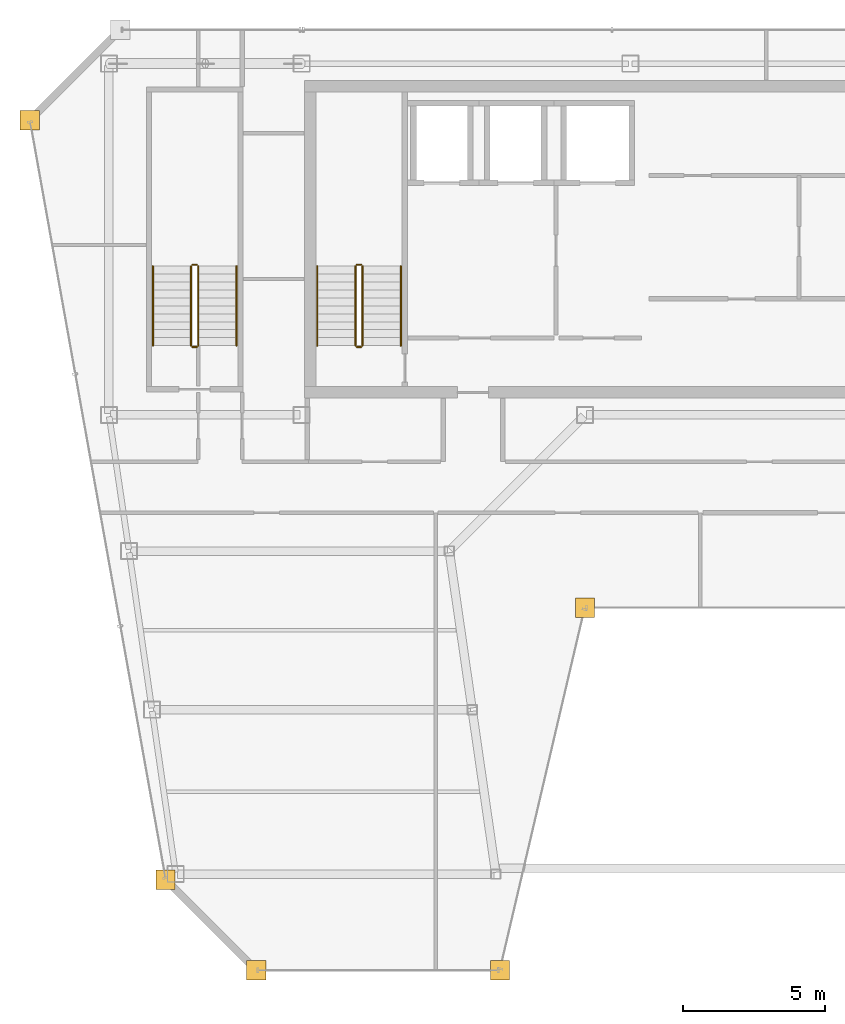
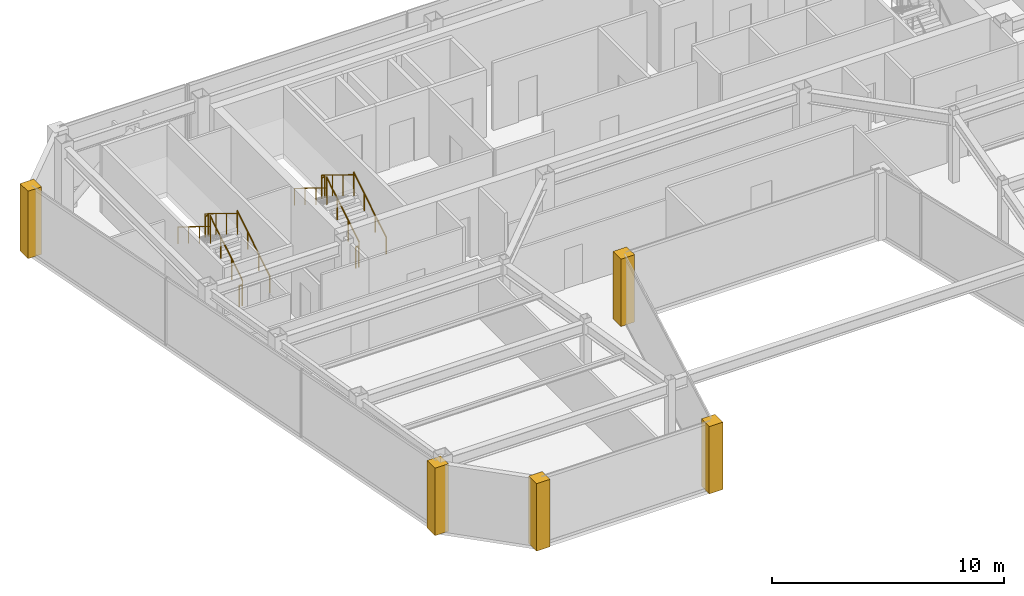
# One storey, part 30 of 32: 12 railings, 5 coverings.
"""IFC4 building model written with IfcOpenShell, lengths in metres."""

import ifcopenshell
import ifcopenshell.guid

model = None  # the IFC model being written
_history = None  # IfcOwnerHistory: only IFC2X3 demands one
_inside = {}  # id of a spatial element -> (the spatial element, [elements in it])
_under = {}  # id of a project, library or spatial element -> (it, [spatial elements below it])
_declared = {}  # id of a project -> (the project, [libraries it declares])
_typed = {}  # id of a type object -> (the type object, [elements of that type])
_made_of = {}  # id of a material, layer set ... -> (it, [elements and type objects made of it])


def new_model(schema):
    """Start an empty IFC model of exactly this schema.

    Asked for "IFC4X3", IfcOpenShell would pick the latest addendum, in which some entities
    have other attributes; the version numbers below select the first issue.
    IFC2X3 requires an IfcOwnerHistory on every rooted entity: one is made here for all.
    """
    global model, _history
    if schema == "IFC4X3":
        model = ifcopenshell.file(schema_version=(4, 3, 0, 0))
    else:
        model = ifcopenshell.file(schema=schema)
    _inside.clear()
    _under.clear()
    _declared.clear()
    _typed.clear()
    _made_of.clear()
    _history = None
    if model.schema == "IFC2X3":
        org = make("IfcOrganization", Name="unknown")
        user = make(
            "IfcPersonAndOrganization",
            ThePerson=make("IfcPerson", FamilyName="unknown"),
            TheOrganization=org,
        )
        app = make(
            "IfcApplication",
            ApplicationDeveloper=org,
            Version="unknown",
            ApplicationFullName="unknown",
            ApplicationIdentifier="unknown",
        )
        _history = make(
            "IfcOwnerHistory",
            OwningUser=user,
            OwningApplication=app,
            ChangeAction="ADDED",
            CreationDate=0,
        )
    return model


def make(cls, **values):
    """One entity of the class cls with the attributes given. An attribute that is None is left unset."""
    return model.create_entity(
        cls, **{name: value for name, value in values.items() if value is not None}
    )


def rooted(cls, **values):
    """An entity with a GlobalId (a new one), such as an element, a storey or a relation."""
    return make(cls, GlobalId=ifcopenshell.guid.new(), OwnerHistory=_history, **values)


def si_unit(unit_type, name, prefix=None):
    """IfcSIUnit, for example si_unit("LENGTHUNIT", "METRE", prefix="MILLI")."""
    return make("IfcSIUnit", UnitType=unit_type, Prefix=prefix, Name=name)


def assignment(units):
    """IfcUnitAssignment: the units of a project."""
    return None if units is None else make("IfcUnitAssignment", Units=units)


def point(xyz):
    """IfcCartesianPoint."""
    return None if xyz is None else make("IfcCartesianPoint", Coordinates=xyz)


def direction(xyz):
    """IfcDirection."""
    return None if xyz is None else make("IfcDirection", DirectionRatios=xyz)


def frame(location, z_axis=None, x_axis=None):
    """IfcAxis2Placement3D, a coordinate frame: its origin and axes. An axis left out is left unset."""
    return make(
        "IfcAxis2Placement3D",
        Location=point(location),
        Axis=direction(z_axis),
        RefDirection=direction(x_axis),
    )


def frame_2d(location, x_axis=None):
    """IfcAxis2Placement2D, a coordinate frame in the plane: its origin and x axis."""
    return make(
        "IfcAxis2Placement2D", Location=point(location), RefDirection=direction(x_axis)
    )


def origin():
    """The frame at (0, 0, 0) with its axes left unset."""
    return frame((0.0, 0.0, 0.0))


def origin_2d():
    """The frame at (0, 0) in the plane with its x axis left unset."""
    return frame_2d((0.0, 0.0))


def place(relative_to, where):
    """IfcLocalPlacement: puts the frame where relative to a parent placement (None: the world)."""
    return make(
        "IfcLocalPlacement", PlacementRelTo=relative_to, RelativePlacement=where
    )


def context(
    kind, dimensions, precision=None, world=None, true_north=None, identifier=None
):
    """IfcGeometricRepresentationContext, for example the 3D "Model" context."""
    return make(
        "IfcGeometricRepresentationContext",
        ContextIdentifier=identifier,
        ContextType=kind,
        CoordinateSpaceDimension=dimensions,
        Precision=precision,
        WorldCoordinateSystem=world,
        TrueNorth=true_north,
    )


def subcontext(parent, identifier, kind, view, scale=None):
    """IfcGeometricRepresentationSubContext, for example "Body" below "Model"."""
    return make(
        "IfcGeometricRepresentationSubContext",
        ContextIdentifier=identifier,
        ContextType=kind,
        ParentContext=parent,
        TargetScale=scale,
        TargetView=view,
    )


def project(units=None, contexts=None):
    """IfcProject with its units and contexts."""
    return rooted(
        "IfcProject",
        Name="project",
        RepresentationContexts=contexts,
        UnitsInContext=assignment(units),
    )


def spatial(cls, under=None, at=None, **own):
    """A site, building, storey or space (cls), placed at a placement, below another one or the project."""
    s = rooted(cls, ObjectPlacement=at, **own)
    if under is not None:
        _under.setdefault(under.id(), (under, []))[1].append(s)
    return s


def polyline(points):
    """IfcPolyline through the points."""
    return make("IfcPolyline", Points=[point(p) for p in points])


def profile(cls, at=None, kind="AREA", **sizes):
    """A parametric profile (cls). Its sizes go by their IFC names, for example OverallWidth=200.0."""
    return make(cls, ProfileType=kind, Position=at, **sizes)


def circle(**sizes):
    """IfcCircleProfileDef."""
    return profile("IfcCircleProfileDef", **sizes)


def outline(outer, holes=None, kind="AREA"):
    """IfcArbitraryClosedProfileDef: a profile drawn as a closed curve; with holes, ...WithVoids."""
    if holes is None:
        return make("IfcArbitraryClosedProfileDef", ProfileType=kind, OuterCurve=outer)
    return make(
        "IfcArbitraryProfileDefWithVoids",
        ProfileType=kind,
        OuterCurve=outer,
        InnerCurves=holes,
    )


def extrude(swept, where, along, depth):
    """IfcExtrudedAreaSolid: the profile swept, set in the frame where, extruded along a direction by depth."""
    return make(
        "IfcExtrudedAreaSolid",
        SweptArea=swept,
        Position=where,
        ExtrudedDirection=direction(along),
        Depth=depth,
    )


def shape(context_of_items, identifier, shape_type, items):
    """IfcShapeRepresentation: the items that make up one representation, for example the "Body"."""
    return make(
        "IfcShapeRepresentation",
        ContextOfItems=context_of_items,
        RepresentationIdentifier=identifier,
        RepresentationType=shape_type,
        Items=items,
    )


def material(Name=None, Category=None):
    """IfcMaterial."""
    return make("IfcMaterial", Name=Name, Category=Category)


def layer(
    of_material, thickness, ventilated=None, Name=None, Category=None, Priority=None
):
    """IfcMaterialLayer: one layer of a wall or slab, of a material (None: an air gap)."""
    return make(
        "IfcMaterialLayer",
        Material=of_material,
        LayerThickness=thickness,
        IsVentilated=ventilated,
        Name=Name,
        Category=Category,
        Priority=Priority,
    )


def layer_set(layers, Name=None):
    """IfcMaterialLayerSet."""
    return make("IfcMaterialLayerSet", MaterialLayers=layers, LayerSetName=Name)


def made_of(thing, what):
    """Note that an element or type object is made of a material, layer set ...; save() writes the relation."""
    if what is not None:
        _made_of.setdefault(what.id(), (what, []))[1].append(thing)
    return thing


def type_object(cls, material=None, **own):
    """A type object (cls), such as IfcWallType, which elements share."""
    return made_of(rooted(cls, **own), material)


def element(
    cls,
    number,
    at=None,
    inside=None,
    cuts=None,
    type_object=None,
    material=None,
    context=None,
    identifier="Body",
    shape_type=None,
    held_by="IfcProductDefinitionShape",
    body=None,
    shapes=None,
    **own,
):
    """One element of the class cls, such as IfcWall. Its Tag is "e" and its number.

    at: its placement. inside: the storey or other place that contains it. cuts: it is an
    opening in that element (IfcRelVoidsElement). A single representation is given by context,
    identifier, shape_type and body (its items); several are given by shapes. held_by: the class
    of the entity that holds the representations. save() writes the other relations.
    """
    e = rooted(cls, Tag="e%d" % number, ObjectPlacement=at, **own)
    if body is not None:
        shapes = [shape(context, identifier, shape_type, body)]
    if shapes is not None:
        e.Representation = make(held_by, Representations=shapes)
    if inside is not None:
        _inside.setdefault(inside.id(), (inside, []))[1].append(e)
    if cuts is not None:
        rooted(
            "IfcRelVoidsElement", RelatingBuildingElement=cuts, RelatedOpeningElement=e
        )
    if type_object is not None:
        _typed.setdefault(type_object.id(), (type_object, []))[1].append(e)
    return made_of(e, material)


def aggregate(whole, parts):
    """IfcRelAggregates: a whole, such as a stair, and the parts it consists of."""
    return rooted("IfcRelAggregates", RelatingObject=whole, RelatedObjects=parts)


def save(model, path):
    """Write the relations noted so far, then the file.

    IfcRelAggregates (storeys below a building ...), IfcRelContainedInSpatialStructure (elements
    in a storey), IfcRelDefinesByType, IfcRelAssociatesMaterial and IfcRelDeclares: one each for
    every whole, place, type object, material and project.
    """
    for whole, parts in _under.values():
        aggregate(whole, parts)
    for where, things in _inside.values():
        rooted(
            "IfcRelContainedInSpatialStructure",
            RelatedElements=things,
            RelatingStructure=where,
        )
    for kind, things in _typed.values():
        rooted("IfcRelDefinesByType", RelatedObjects=things, RelatingType=kind)
    for what, things in _made_of.values():
        rooted("IfcRelAssociatesMaterial", RelatedObjects=things, RelatingMaterial=what)
    for by, libraries in _declared.values():
        rooted("IfcRelDeclares", RelatingContext=by, RelatedDefinitions=libraries)
    model.write(path)


model = new_model("IFC4")

# Units and contexts
model_context = context("Model", 3, precision=1e-05, world=origin(), true_north=direction((0.0, 1.0)))
body_context = subcontext(model_context, "Body", "Model", "MODEL_VIEW")
ifc_project = project(units=[si_unit("LENGTHUNIT", "METRE"), si_unit("AREAUNIT", "SQUARE_METRE"), si_unit("VOLUMEUNIT", "CUBIC_METRE"), si_unit("PLANEANGLEUNIT", "RADIAN"), si_unit("MASSUNIT", "GRAM", prefix="KILO")], contexts=[model_context])

# Site, building, storey
site_placement = place(None, origin())
site = spatial("IfcSite", under=ifc_project, at=site_placement, CompositionType="ELEMENT")
building_placement = place(site_placement, origin())
building = spatial("IfcBuilding", under=site, at=building_placement, Name="Saevonmaru Cultural Tower", CompositionType="ELEMENT")
storey_placement = place(building_placement, frame((0.0, 0.0, 264.800048828125)))
storey = spatial("IfcBuildingStorey", under=building, at=storey_placement, Name="L62", CompositionType="ELEMENT", Elevation=264.800048828125)

# Coverings
ifc_material_1 = material(Name="Satin Bronze Anodised Aluminium", Category="aluminium")
ifc_layer = layer(ifc_material_1, 0.679931640625, Name="Satin Bronze Anodised Aluminium")
ifc_layer_set = layer_set([ifc_layer], Name="Satin Bronze Anodised Aluminium")
covering_type = type_object("IfcCoveringType", Name="CV-CORNER-CLAD", PredefinedType="CLADDING", material=ifc_layer_set)
covering_1_placement = place(storey_placement, origin())
element("IfcCovering", 1, at=covering_1_placement, inside=storey, type_object=covering_type, Name="L62 Tower Bronze Corner Cladding Pier 1", PredefinedType="CLADDING", context=body_context, shape_type="SweptSolid", body=[
    extrude(outline(polyline([(8.4560546875, 25.659912109375), (9.135986328125, 25.659912109375), (9.135986328125, 26.340087890625), (8.4560546875, 26.340087890625), (8.4560546875, 25.659912109375)])), origin(), (0.0, 0.0, 1.0), 3.550048828125),
])
covering_2_placement = place(storey_placement, origin())
element("IfcCovering", 2, at=covering_2_placement, inside=storey, type_object=covering_type, Name="L62 Tower Bronze Corner Cladding Pier 2", PredefinedType="CLADDING", context=body_context, shape_type="SweptSolid", body=[
    extrude(outline(polyline([(11.656005859375, 22.4599609375), (12.3359375, 22.4599609375), (12.3359375, 23.139892578125), (11.656005859375, 23.139892578125), (11.656005859375, 22.4599609375)])), origin(), (0.0, 0.0, 1.0), 3.550048828125),
])
covering_3_placement = place(storey_placement, origin())
element("IfcCovering", 3, at=covering_3_placement, inside=storey, type_object=covering_type, Name="L62 Tower Bronze Corner Cladding Pier 3", PredefinedType="CLADDING", context=body_context, shape_type="SweptSolid", body=[
    extrude(outline(polyline([(20.256103515625, 22.4599609375), (20.93603515625, 22.4599609375), (20.93603515625, 23.139892578125), (20.256103515625, 23.139892578125), (20.256103515625, 22.4599609375)])), origin(), (0.0, 0.0, 1.0), 3.550048828125),
])
covering_4_placement = place(storey_placement, origin())
element("IfcCovering", 4, at=covering_4_placement, inside=storey, type_object=covering_type, Name="L62 Tower Bronze Corner Cladding Pier 4", PredefinedType="CLADDING", context=body_context, shape_type="SweptSolid", body=[
    extrude(outline(polyline([(23.256103515625, 35.260009765625), (23.93603515625, 35.260009765625), (23.93603515625, 35.93994140625), (23.256103515625, 35.93994140625), (23.256103515625, 35.260009765625)])), origin(), (0.0, 0.0, 1.0), 3.550048828125),
])
covering_5_placement = place(storey_placement, origin())
element("IfcCovering", 5, at=covering_5_placement, inside=storey, type_object=covering_type, Name="L62 Tower Bronze Corner Cladding Pier 12", PredefinedType="CLADDING", context=body_context, shape_type="SweptSolid", body=[
    extrude(outline(polyline([(3.659912109375, 52.4599609375), (4.340087890625, 52.4599609375), (4.340087890625, 53.139892578125), (3.659912109375, 53.139892578125), (3.659912109375, 52.4599609375)])), origin(), (0.0, 0.0, 1.0), 3.550048828125),
])

# Railings
ifc_material_2 = material(Name="Architectural Painted Steel", Category="steel")
railing_type_1 = type_object("IfcRailingType", Name="RL-STAIR-GUARD", PredefinedType="GUARDRAIL", material=ifc_material_2)
railing_1_placement = place(storey_placement, frame((15.75, 44.85009765625, 0.172607421875)))
element("IfcRailing", 6, at=railing_1_placement, inside=storey, type_object=railing_type_1, Name="L62 ST-1 stair guard 1", PredefinedType="GUARDRAIL", context=body_context, shape_type="SweptSolid", body=[
    extrude(circle(Radius=0.02392578125, at=origin_2d()), frame((0.0, 0.0, 1.09619140625), z_axis=(0.0, 0.851069175582, 0.525053576669), x_axis=(-1.0, 0.0, 0.0)), (0.0, 0.0, 1.0), 3.289794921875),
    extrude(circle(Radius=0.02099609375, at=origin_2d()), origin(), (0.0, 0.0, 1.0), 1.072021484375),
    extrude(circle(Radius=0.02099609375, at=origin_2d()), frame((0.0, 0.933349609375, 0.57568359375)), (0.0, 0.0, 1.0), 1.072021484375),
    extrude(circle(Radius=0.02099609375, at=origin_2d()), frame((0.0, 1.866455078125, 1.151611328125)), (0.0, 0.0, 1.0), 1.072021484375),
    extrude(circle(Radius=0.02099609375, at=origin_2d()), frame((0.0, 2.7998046875, 1.727294921875)), (0.0, 0.0, 1.0), 1.072021484375),
])
railing_2_placement = place(storey_placement, frame((15.699951171875, 47.699951171875, 1.89990234375)))
element("IfcRailing", 7, at=railing_2_placement, inside=storey, type_object=railing_type_1, Name="L62 ST-1 stair guard 2", PredefinedType="GUARDRAIL", context=body_context, shape_type="SweptSolid", body=[
    extrude(circle(Radius=0.02392578125, at=origin_2d()), frame((0.0, 0.0, 1.09619140625), z_axis=(-1.0, 0.0, 0.0), x_axis=(0.0, -1.0, 0.0)), (0.0, 0.0, 1.0), 0.14990234375),
    extrude(circle(Radius=0.02099609375, at=origin_2d()), origin(), (0.0, 0.0, 1.0), 1.072021484375),
    extrude(circle(Radius=0.02099609375, at=origin_2d()), frame((-0.14990234375, 0.0, 0.0)), (0.0, 0.0, 1.0), 1.072021484375),
])
railing_3_placement = place(storey_placement, frame((15.5, 47.64990234375, 2.07275390625)))
element("IfcRailing", 8, at=railing_3_placement, inside=storey, type_object=railing_type_1, Name="L62 ST-1 stair guard 3", PredefinedType="GUARDRAIL", context=body_context, shape_type="SweptSolid", body=[
    extrude(circle(Radius=0.02392578125, at=origin_2d()), frame((0.0, 0.0, 1.09619140625), z_axis=(0.0, -0.851069175582, 0.525053576669), x_axis=(1.0, 0.0, 0.0)), (0.0, 0.0, 1.0), 3.289794921875),
    extrude(circle(Radius=0.02099609375, at=origin_2d()), origin(), (0.0, 0.0, 1.0), 1.072021484375),
    extrude(circle(Radius=0.02099609375, at=origin_2d()), frame((0.0, -0.933349609375, 0.57568359375)), (0.0, 0.0, 1.0), 1.072021484375),
    extrude(circle(Radius=0.02099609375, at=origin_2d()), frame((0.0, -1.866455078125, 1.151611328125)), (0.0, 0.0, 1.0), 1.072021484375),
    extrude(circle(Radius=0.02099609375, at=origin_2d()), frame((0.0, -2.7998046875, 1.727294921875)), (0.0, 0.0, 1.0), 1.072021484375),
])
railing_4_placement = place(storey_placement, frame((15.699951171875, 44.800048828125, 0.0)))
element("IfcRailing", 9, at=railing_4_placement, inside=storey, type_object=railing_type_1, Name="L62 ST-1 stair guard 4", PredefinedType="GUARDRAIL", context=body_context, shape_type="SweptSolid", body=[
    extrude(circle(Radius=0.02392578125, at=origin_2d()), frame((0.0, 0.0, 1.09619140625), z_axis=(-1.0, 0.0, 0.0), x_axis=(0.0, -1.0, 0.0)), (0.0, 0.0, 1.0), 0.14990234375),
    extrude(circle(Radius=0.02099609375, at=origin_2d()), origin(), (0.0, 0.0, 1.0), 1.072021484375),
    extrude(circle(Radius=0.02099609375, at=origin_2d()), frame((-0.14990234375, 0.0, 0.0)), (0.0, 0.0, 1.0), 1.072021484375),
])
railing_5_placement = place(storey_placement, frame((9.949951171875, 44.85009765625, 0.172607421875)))
element("IfcRailing", 10, at=railing_5_placement, inside=storey, type_object=railing_type_1, Name="L62 ST-3 stair guard 1", PredefinedType="GUARDRAIL", context=body_context, shape_type="SweptSolid", body=[
    extrude(circle(Radius=0.02392578125, at=origin_2d()), frame((0.0, 0.0, 1.09619140625), z_axis=(0.0, 0.851069175582, 0.525053576669), x_axis=(-1.0, 0.0, 0.0)), (0.0, 0.0, 1.0), 3.289794921875),
    extrude(circle(Radius=0.02099609375, at=origin_2d()), origin(), (0.0, 0.0, 1.0), 1.072021484375),
    extrude(circle(Radius=0.02099609375, at=origin_2d()), frame((0.0, 0.933349609375, 0.57568359375)), (0.0, 0.0, 1.0), 1.072021484375),
    extrude(circle(Radius=0.02099609375, at=origin_2d()), frame((0.0, 1.866455078125, 1.151611328125)), (0.0, 0.0, 1.0), 1.072021484375),
    extrude(circle(Radius=0.02099609375, at=origin_2d()), frame((0.0, 2.7998046875, 1.727294921875)), (0.0, 0.0, 1.0), 1.072021484375),
])
railing_6_placement = place(storey_placement, frame((9.89990234375, 47.699951171875, 1.89990234375)))
element("IfcRailing", 11, at=railing_6_placement, inside=storey, type_object=railing_type_1, Name="L62 ST-3 stair guard 2", PredefinedType="GUARDRAIL", context=body_context, shape_type="SweptSolid", body=[
    extrude(circle(Radius=0.02392578125, at=origin_2d()), frame((0.0, 0.0, 1.09619140625), z_axis=(-1.0, 0.0, 0.0), x_axis=(0.0, -1.0, 0.0)), (0.0, 0.0, 1.0), 0.14990234375),
    extrude(circle(Radius=0.02099609375, at=origin_2d()), origin(), (0.0, 0.0, 1.0), 1.072021484375),
    extrude(circle(Radius=0.02099609375, at=origin_2d()), frame((-0.14990234375, 0.0, 0.0)), (0.0, 0.0, 1.0), 1.072021484375),
])
railing_7_placement = place(storey_placement, frame((9.699951171875, 47.64990234375, 2.07275390625)))
element("IfcRailing", 12, at=railing_7_placement, inside=storey, type_object=railing_type_1, Name="L62 ST-3 stair guard 3", PredefinedType="GUARDRAIL", context=body_context, shape_type="SweptSolid", body=[
    extrude(circle(Radius=0.02392578125, at=origin_2d()), frame((0.0, 0.0, 1.09619140625), z_axis=(0.0, -0.851069175582, 0.525053576669), x_axis=(1.0, 0.0, 0.0)), (0.0, 0.0, 1.0), 3.289794921875),
    extrude(circle(Radius=0.02099609375, at=origin_2d()), origin(), (0.0, 0.0, 1.0), 1.072021484375),
    extrude(circle(Radius=0.02099609375, at=origin_2d()), frame((0.0, -0.933349609375, 0.57568359375)), (0.0, 0.0, 1.0), 1.072021484375),
    extrude(circle(Radius=0.02099609375, at=origin_2d()), frame((0.0, -1.866455078125, 1.151611328125)), (0.0, 0.0, 1.0), 1.072021484375),
    extrude(circle(Radius=0.02099609375, at=origin_2d()), frame((0.0, -2.7998046875, 1.727294921875)), (0.0, 0.0, 1.0), 1.072021484375),
])
railing_8_placement = place(storey_placement, frame((9.89990234375, 44.800048828125, 0.0)))
element("IfcRailing", 13, at=railing_8_placement, inside=storey, type_object=railing_type_1, Name="L62 ST-3 stair guard 4", PredefinedType="GUARDRAIL", context=body_context, shape_type="SweptSolid", body=[
    extrude(circle(Radius=0.02392578125, at=origin_2d()), frame((0.0, 0.0, 1.09619140625), z_axis=(-1.0, 0.0, 0.0), x_axis=(0.0, -1.0, 0.0)), (0.0, 0.0, 1.0), 0.14990234375),
    extrude(circle(Radius=0.02099609375, at=origin_2d()), origin(), (0.0, 0.0, 1.0), 1.072021484375),
    extrude(circle(Radius=0.02099609375, at=origin_2d()), frame((-0.14990234375, 0.0, 0.0)), (0.0, 0.0, 1.0), 1.072021484375),
])
railing_type_2 = type_object("IfcRailingType", Name="RL-STAIR-HANDRAIL", PredefinedType="HANDRAIL", material=ifc_material_1)
railing_9_placement = place(storey_placement, frame((17.10009765625, 44.85009765625, 0.172607421875)))
element("IfcRailing", 14, at=railing_9_placement, inside=storey, type_object=railing_type_2, Name="L62 ST-1 stair handrail 1", PredefinedType="HANDRAIL", context=body_context, shape_type="SweptSolid", body=[
    extrude(circle(Radius=0.02392578125, at=origin_2d()), frame((0.0, 0.0, 0.8759765625), z_axis=(0.0, 0.851069175582, 0.525053576669), x_axis=(-1.0, 0.0, 0.0)), (0.0, 0.0, 1.0), 3.289794921875),
    extrude(circle(Radius=0.02099609375, at=origin_2d()), origin(), (0.0, 0.0, 1.0), 0.851806640625),
    extrude(circle(Radius=0.02099609375, at=origin_2d()), frame((0.0, 0.933349609375, 0.57568359375)), (0.0, 0.0, 1.0), 0.851806640625),
    extrude(circle(Radius=0.02099609375, at=origin_2d()), frame((0.0, 1.866455078125, 1.151611328125)), (0.0, 0.0, 1.0), 0.851806640625),
    extrude(circle(Radius=0.02099609375, at=origin_2d()), frame((0.0, 2.7998046875, 1.727294921875)), (0.0, 0.0, 1.0), 0.851806640625),
])
railing_10_placement = place(storey_placement, frame((14.14990234375, 47.64990234375, 2.07275390625)))
element("IfcRailing", 15, at=railing_10_placement, inside=storey, type_object=railing_type_2, Name="L62 ST-1 stair handrail 2", PredefinedType="HANDRAIL", context=body_context, shape_type="SweptSolid", body=[
    extrude(circle(Radius=0.02392578125, at=origin_2d()), frame((0.0, 0.0, 0.8759765625), z_axis=(0.0, -0.851069175582, 0.525053576669), x_axis=(1.0, 0.0, 0.0)), (0.0, 0.0, 1.0), 3.289794921875),
    extrude(circle(Radius=0.02099609375, at=origin_2d()), origin(), (0.0, 0.0, 1.0), 0.851806640625),
    extrude(circle(Radius=0.02099609375, at=origin_2d()), frame((0.0, -0.933349609375, 0.57568359375)), (0.0, 0.0, 1.0), 0.851806640625),
    extrude(circle(Radius=0.02099609375, at=origin_2d()), frame((0.0, -1.866455078125, 1.151611328125)), (0.0, 0.0, 1.0), 0.851806640625),
    extrude(circle(Radius=0.02099609375, at=origin_2d()), frame((0.0, -2.7998046875, 1.727294921875)), (0.0, 0.0, 1.0), 0.851806640625),
])
railing_11_placement = place(storey_placement, frame((11.300048828125, 44.85009765625, 0.172607421875)))
element("IfcRailing", 16, at=railing_11_placement, inside=storey, type_object=railing_type_2, Name="L62 ST-3 stair handrail 1", PredefinedType="HANDRAIL", context=body_context, shape_type="SweptSolid", body=[
    extrude(circle(Radius=0.02392578125, at=origin_2d()), frame((0.0, 0.0, 0.8759765625), z_axis=(0.0, 0.851069175582, 0.525053576669), x_axis=(-1.0, 0.0, 0.0)), (0.0, 0.0, 1.0), 3.289794921875),
    extrude(circle(Radius=0.02099609375, at=origin_2d()), origin(), (0.0, 0.0, 1.0), 0.851806640625),
    extrude(circle(Radius=0.02099609375, at=origin_2d()), frame((0.0, 0.933349609375, 0.57568359375)), (0.0, 0.0, 1.0), 0.851806640625),
    extrude(circle(Radius=0.02099609375, at=origin_2d()), frame((0.0, 1.866455078125, 1.151611328125)), (0.0, 0.0, 1.0), 0.851806640625),
    extrude(circle(Radius=0.02099609375, at=origin_2d()), frame((0.0, 2.7998046875, 1.727294921875)), (0.0, 0.0, 1.0), 0.851806640625),
])
railing_12_placement = place(storey_placement, frame((8.35009765625, 47.64990234375, 2.07275390625)))
element("IfcRailing", 17, at=railing_12_placement, inside=storey, type_object=railing_type_2, Name="L62 ST-3 stair handrail 2", PredefinedType="HANDRAIL", context=body_context, shape_type="SweptSolid", body=[
    extrude(circle(Radius=0.02392578125, at=origin_2d()), frame((0.0, 0.0, 0.8759765625), z_axis=(0.0, -0.851069175582, 0.525053576669), x_axis=(1.0, 0.0, 0.0)), (0.0, 0.0, 1.0), 3.289794921875),
    extrude(circle(Radius=0.02099609375, at=origin_2d()), origin(), (0.0, 0.0, 1.0), 0.851806640625),
    extrude(circle(Radius=0.02099609375, at=origin_2d()), frame((0.0, -0.933349609375, 0.57568359375)), (0.0, 0.0, 1.0), 0.851806640625),
    extrude(circle(Radius=0.02099609375, at=origin_2d()), frame((0.0, -1.866455078125, 1.151611328125)), (0.0, 0.0, 1.0), 0.851806640625),
    extrude(circle(Radius=0.02099609375, at=origin_2d()), frame((0.0, -2.7998046875, 1.727294921875)), (0.0, 0.0, 1.0), 0.851806640625),
])

save(model, "model.ifc")
